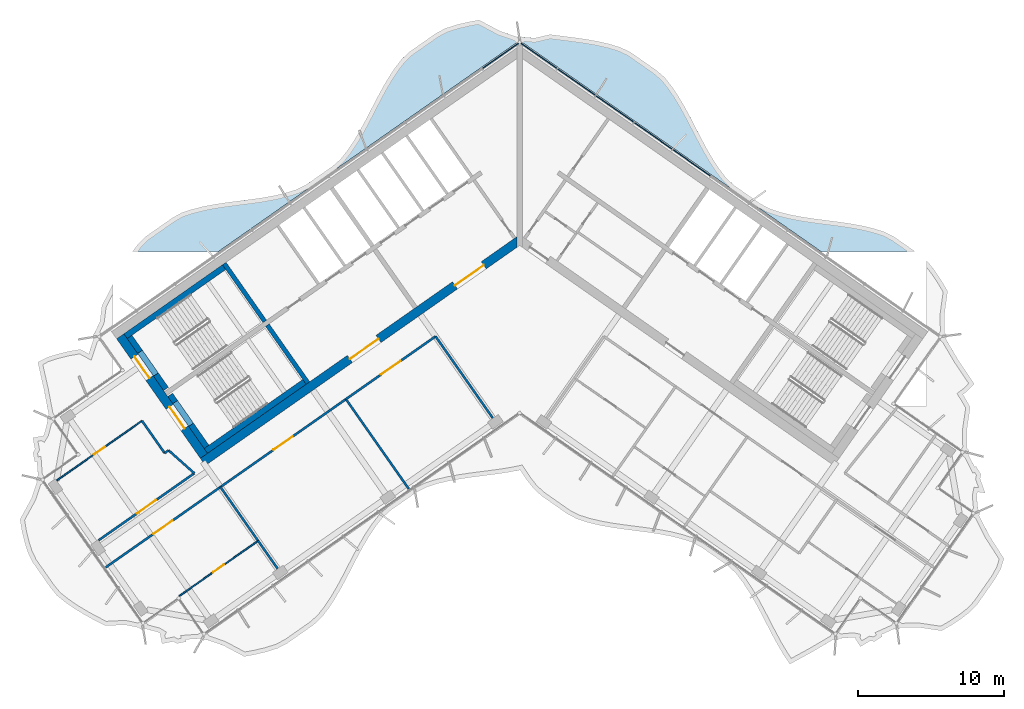
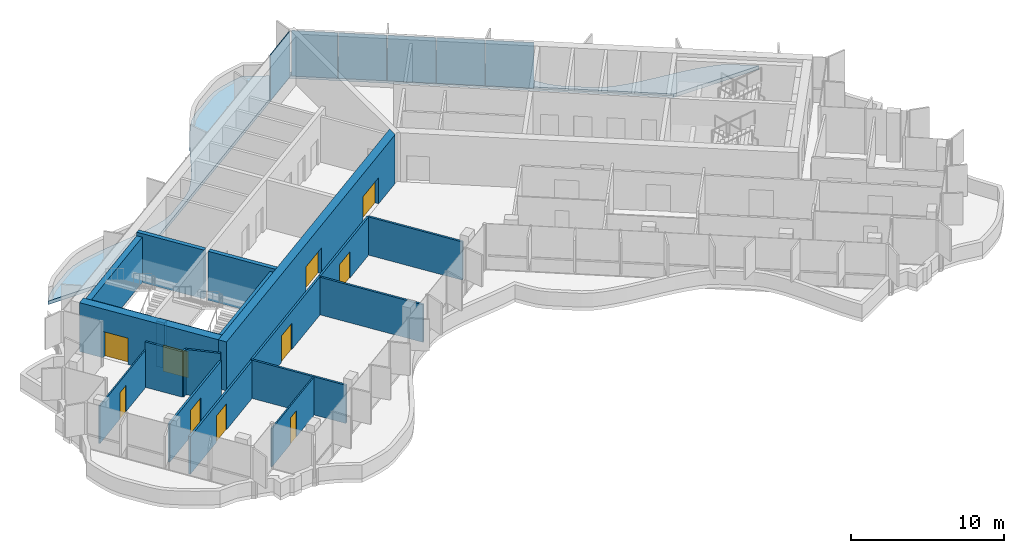
# One storey, part 9 of 18: 25 walls, 10 doors, 6 plates, 1 slab, 10 openings, 1 element without a shape of its own.
"""IFC4 building model written with IfcOpenShell, lengths in metres."""

from ifc_helpers import new_model, si_unit, direction, frame, frame_2d, origin, origin_2d, place, context, subcontext, project, spatial, polyline, rectangle, outline, extrude, material, layer, layer_set, type_object, element, fill, aggregate, save


model = new_model("IFC4")

# Units and contexts
model_context = context("Model", 3, precision=1e-05, world=origin(), true_north=direction((0.0, 1.0)))
body_context = subcontext(model_context, "Body", "Model", "MODEL_VIEW")
ifc_project = project(units=[si_unit("LENGTHUNIT", "METRE"), si_unit("AREAUNIT", "SQUARE_METRE"), si_unit("VOLUMEUNIT", "CUBIC_METRE"), si_unit("PLANEANGLEUNIT", "RADIAN"), si_unit("MASSUNIT", "GRAM", prefix="KILO")], contexts=[model_context])

# Site, building, storey
site_placement = place(None, origin())
site = spatial("IfcSite", under=ifc_project, at=site_placement, CompositionType="ELEMENT")
building_placement = place(site_placement, origin())
building = spatial("IfcBuilding", under=site, at=building_placement, Name="Tel Ilan Convention Tower", CompositionType="ELEMENT")
storey_placement = place(building_placement, frame((0.0, 0.0, 252.699951171875)))
storey = spatial("IfcBuildingStorey", under=building, at=storey_placement, Name="L59", CompositionType="ELEMENT", Elevation=252.699951171875)

# Curtain wall, plates
ifc_material_1 = material(Name="Aluminium, bronze anodised", Category="aluminium")
curtain_wall_type = type_object("IfcCurtainWallType", Name="CW2 STICK CURTAIN WALL, SPANDREL PANELS", PredefinedType="NOTDEFINED", material=ifc_material_1)
curtain_wall_placement = place(storey_placement, origin())
curtain_wall = element("IfcCurtainWall", 1, at=curtain_wall_placement, inside=storey, type_object=curtain_wall_type, Name="Curtain wall CW2-46.01", PredefinedType="NOTDEFINED")
ifc_material_2 = material(Name="Aluminium composite panel, bronze anodised", Category="aluminium")
ifc_layer_1 = layer(ifc_material_2, 0.06005859375)
ifc_layer_set_1 = layer_set([ifc_layer_1], Name="CW SPANDREL PANEL 60")
plate_type = type_object("IfcPlateType", Name="CW SPANDREL PANEL 60", PredefinedType="CURTAIN_PANEL", material=ifc_layer_set_1)
plate_1_placement = place(storey_placement, frame((11.789306640625, 4.44091796875, 0.0), z_axis=(0.0, 0.0, 1.0), x_axis=(-0.819152044289, 0.573576436351, 0.0)))
plate_1 = element("IfcPlate", 2, at=plate_1_placement, type_object=plate_type, Name="Spandrel panel", PredefinedType="CURTAIN_PANEL", context=body_context, shape_type="SweptSolid", body=[
    extrude(rectangle(XDim=3.15380859375, YDim=0.06005859375, at=origin_2d()), origin(), (0.0, 0.0, 1.0), 3.6201171875),
])
plate_2_placement = place(storey_placement, frame((9.15673828125, 6.284423828125, 0.0), z_axis=(0.0, 0.0, 1.0), x_axis=(-0.819152044289, 0.573576436351, 0.0)))
plate_2 = element("IfcPlate", 3, at=plate_2_placement, type_object=plate_type, Name="Spandrel panel", PredefinedType="CURTAIN_PANEL", context=body_context, shape_type="SweptSolid", body=[
    extrude(rectangle(XDim=3.15380859375, YDim=0.06005859375, at=origin_2d()), origin(), (0.0, 0.0, 1.0), 3.6201171875),
])
plate_3_placement = place(storey_placement, frame((6.524169921875, 8.127685546875, 0.0), z_axis=(0.0, 0.0, 1.0), x_axis=(-0.819152044289, 0.573576436351, 0.0)))
plate_3 = element("IfcPlate", 4, at=plate_3_placement, type_object=plate_type, Name="Spandrel panel", PredefinedType="CURTAIN_PANEL", context=body_context, shape_type="SweptSolid", body=[
    extrude(rectangle(XDim=3.15380859375, YDim=0.06005859375, at=origin_2d()), origin(), (0.0, 0.0, 1.0), 3.6201171875),
])
plate_4_placement = place(storey_placement, frame((3.8916015625, 9.97119140625, 0.0), z_axis=(0.0, 0.0, 1.0), x_axis=(-0.819152044289, 0.573576436351, 0.0)))
plate_4 = element("IfcPlate", 5, at=plate_4_placement, type_object=plate_type, Name="Spandrel panel", PredefinedType="CURTAIN_PANEL", context=body_context, shape_type="SweptSolid", body=[
    extrude(rectangle(XDim=3.15380859375, YDim=0.06005859375, at=origin_2d()), origin(), (0.0, 0.0, 1.0), 3.6201171875),
])
plate_5_placement = place(storey_placement, frame((1.303955078125, 11.782958984375, 0.0), z_axis=(0.0, 0.0, 1.0), x_axis=(-0.819152044289, 0.573576436351, 0.0)))
plate_5 = element("IfcPlate", 6, at=plate_5_placement, type_object=plate_type, Name="Spandrel panel", PredefinedType="CURTAIN_PANEL", context=body_context, shape_type="SweptSolid", body=[
    extrude(rectangle(XDim=3.0439453125, YDim=0.06005859375, at=origin_2d()), origin(), (0.0, 0.0, 1.0), 3.6201171875),
])
plate_6_placement = place(storey_placement, frame((-1.303955078125, 11.782958984375, 0.0), z_axis=(0.0, 0.0, 1.0), x_axis=(-0.819152044289, -0.573576436351, 0.0)))
plate_6 = element("IfcPlate", 7, at=plate_6_placement, type_object=plate_type, Name="Spandrel panel", PredefinedType="CURTAIN_PANEL", context=body_context, shape_type="SweptSolid", body=[
    extrude(rectangle(XDim=3.0439453125, YDim=0.06005859375, at=origin_2d()), origin(), (0.0, 0.0, 1.0), 3.6201171875),
])
aggregate(curtain_wall, [plate_1, plate_2, plate_3, plate_4, plate_5, plate_6])

# Slab
ifc_material_3 = material(Name="Concrete C40/50", Category="concrete")
ifc_layer_2 = layer(ifc_material_3, 0.280029296875)
ifc_layer_set_2 = layer_set([ifc_layer_2], Name="Edge Ledge Slab 280 mm C40/50")
slab_type = type_object("IfcSlabType", Name="Edge Ledge Slab 280 mm C40/50", PredefinedType="FLOOR", material=ifc_layer_set_2)
slab_placement = place(storey_placement, frame((0.0, 0.0, -0.280029296875)))
element("IfcSlab", 8, at=slab_placement, inside=storey, type_object=slab_type, Name="L59 edge ledge 2", PredefinedType="FLOOR", context=body_context, shape_type="SweptSolid", body=[
    extrude(outline(polyline([(-23.1982421875, 1.006591796875), (-22.4697265625, 1.250244140625), (-21.705322265625, 1.44287109375), (-20.91259765625, 1.594482421875), (-20.099365234375, 1.71728515625), (-19.275146484375, 1.824462890625), (-18.44970703125, 1.9296875), (-17.6328125, 2.047119140625), (-16.833984375, 2.18994140625), (-16.0615234375, 2.37109375), (-15.3232421875, 2.6005859375), (-14.651611328125, 2.92529296875), (-12.841552734375, 4.192626953125), (-12.284912109375, 4.681640625), (-11.809326171875, 5.28662109375), (-11.369140625, 5.94189453125), (-10.956787109375, 6.63720703125), (-10.564453125, 7.36083984375), (-10.182373046875, 8.09912109375), (-9.80078125, 8.83837890625), (-9.410400390625, 9.564697265625), (-9.001220703125, 10.264404296875), (-8.56494140625, 10.925537109375), (-8.094482421875, 11.53759765625), (-7.552001953125, 12.047119140625), (-5.7421875, 13.314208984375), (-5.0849609375, 13.66015625), (-4.3515625, 13.896484375), (-3.5830078125, 14.083251953125), (-2.785888671875, 14.228515625), (-1.357666015625, 13.472900390625), (-0.172119140625, 13.06396484375), (-0.168701171875, 13.05908203125), (-0.11474609375, 13.09521484375), (0.0, 13.1181640625), (0.11474609375, 13.09521484375), (0.168701171875, 13.05908203125), (0.172119140625, 13.06396484375), (1.02001953125, 12.99072265625), (2.08935546875, 13.234130859375), (2.913818359375, 13.12744140625), (3.739501953125, 13.0224609375), (4.55712890625, 12.90625), (5.357666015625, 12.765380859375), (6.132080078125, 12.587158203125), (6.872802734375, 12.361083984375), (7.552001953125, 12.047119140625), (9.36181640625, 10.77978515625), (9.925537109375, 10.300537109375), (10.403564453125, 9.69921875), (10.845947265625, 9.046875), (11.259521484375, 8.353515625), (11.653076171875, 7.631591796875), (12.035400390625, 6.893798828125), (12.416748046875, 6.154052734375), (12.806396484375, 5.426513671875), (13.214111328125, 4.724609375), (13.648193359375, 4.060791015625), (14.116455078125, 3.4453125), (14.651611328125, 2.92529296875), (16.46142578125, 1.657958984375), (17.111328125, 1.30224609375), (17.84228515625, 1.062255859375), (18.60888671875, 0.87255859375), (19.4033203125, 0.72314453125), (20.21728515625, 0.601806640625), (21.0419921875, 0.495361328125), (21.8671875, 0.3896484375), (22.68310546875, 0.27099609375), (23.480712890625, 0.1259765625), (24.2509765625, -0.057861328125), (24.987060546875, -0.290771484375), (25.6513671875, -0.626220703125), (27.087158203125, -1.631591796875), (20.63623046875, -1.631591796875), (0.0, 12.818115234375), (-20.63623046875, -1.631591796875), (-26.535888671875, -1.631591796875), (-26.1787109375, -1.156982421875), (-25.6513671875, -0.626220703125), (-23.84130859375, 0.64111328125), (-23.1982421875, 1.006591796875)])), origin(), (0.0, 0.0, 1.0), 0.280029296875),
])

# Walls
ifc_material_4 = material(Name="Concrete C40/50", Category="concrete")
ifc_layer_3 = layer(ifc_material_4, 0.300048828125)
ifc_layer_set_3 = layer_set([ifc_layer_3], Name="Core Shear Wall 300 mm C40/50")
wall_type_1 = type_object("IfcWallType", Name="Core Shear Wall 300 mm C40/50", PredefinedType="SHEAR", material=ifc_layer_set_3)
wall_1_placement = place(storey_placement, frame((-14.515380859375, -10.652099609375, 0.0), z_axis=(0.0, 0.0, 1.0), x_axis=(-0.573560315113, 0.819163332265, 0.0)))
element("IfcWall", 9, at=wall_1_placement, inside=storey, type_object=wall_type_1, Name="L59 core wall W-cross2-1", PredefinedType="SHEAR", context=body_context, shape_type="SweptSolid", body=[
    extrude(outline(polyline([(4.85009765625, 0.14990234375), (0.0, 0.14990234375), (0.0, -0.150146484375), (4.85009765625, -0.14990234375), (4.85009765625, 0.14990234375)])), origin(), (0.0, 0.0, 1.0), 3.900146484375),
])
wall_2_placement = place(storey_placement, frame((-17.46923828125, -6.433349609375, 0.0), z_axis=(0.0, 0.0, 1.0), x_axis=(-0.573594092424, 0.81913968109, 0.0)))
element("IfcWall", 10, at=wall_2_placement, inside=storey, type_object=wall_type_1, Name="L59 core wall W-cross2-2", PredefinedType="SHEAR", context=body_context, shape_type="SweptSolid", body=[
    extrude(outline(polyline([(4.849853515625, -0.150146484375), (4.849853515625, 0.14990234375), (0.0, 0.14990234375), (0.0, -0.14990234375), (4.849853515625, -0.150146484375)])), origin(), (0.0, 0.0, 1.0), 3.900146484375),
])

# Wall, openings, doors
ifc_material_5 = material(Name="Concrete C40/50", Category="concrete")
ifc_layer_4 = layer(ifc_material_5, 0.60009765625)
ifc_layer_set_4 = layer_set([ifc_layer_4], Name="Core Shear Wall 600 mm C40/50")
wall_type_2 = type_object("IfcWallType", Name="Core Shear Wall 600 mm C40/50", PredefinedType="SHEAR", material=ifc_layer_set_4)
wall_3_placement = place(storey_placement, frame((-0.02783203125, -0.8740234375, 0.0), z_axis=(0.0, 0.0, 1.0), x_axis=(-0.819150035022, -0.573579305871, 0.0)))
wall_3 = element("IfcWall", 11, at=wall_3_placement, inside=storey, type_object=wall_type_2, Name="L59 core wall W-front", PredefinedType="SHEAR", context=body_context, shape_type="SweptSolid", body=[
    extrude(outline(polyline([(26.475830078125, 0.2998046875), (0.420166015625, 0.300048828125), (0.000244140625, -0.300048828125), (26.475830078125, -0.300048828125), (26.475830078125, 0.2998046875)])), origin(), (0.0, 0.0, 1.0), 3.900146484375),
])
opening_1_placement = place(wall_3_placement, frame((2.975830078125, 0.0, 0.0)))
opening_1 = element("IfcOpeningElement", 12, at=opening_1_placement, cuts=wall_3, Name="Opening CD4606", PredefinedType="OPENING", context=body_context, shape_type="SweptSolid", body=[
    extrude(rectangle(XDim=2.39990234375, YDim=2.10009765625, at=frame_2d((1.199951171875, 1.050048828125))), frame((0.0, 0.31005859375, 0.0), z_axis=(0.0, -1.0, 0.0), x_axis=(1.0, 0.0, 0.0)), (0.0, 0.0, 1.0), 0.6201171875),
])
opening_2_placement = place(wall_3_placement, frame((11.77587890625, 0.0, 0.0)))
opening_2 = element("IfcOpeningElement", 13, at=opening_2_placement, cuts=wall_3, Name="Opening CD4607", PredefinedType="OPENING", context=body_context, shape_type="SweptSolid", body=[
    extrude(rectangle(XDim=2.39990234375, YDim=2.10009765625, at=frame_2d((1.199951171875, 1.050048828125))), frame((0.0, 0.31005859375, 0.0), z_axis=(0.0, -1.0, 0.0), x_axis=(1.0, 0.0, 0.0)), (0.0, 0.0, 1.0), 0.6201171875),
])
ifc_material_6 = material(Name="Glazed Aluminium Door Leaf", Category="aluminium")
door_type_1 = type_object("IfcDoorType", Name="Lobby Opening Door 2400 x 2100 FD60S", OperationType="NOTDEFINED", PredefinedType="DOOR", material=ifc_material_6)
door_1_placement = place(opening_1_placement, origin())
door_1 = element("IfcDoor", 14, at=door_1_placement, inside=storey, type_object=door_type_1, Name="Lift Lobby HR1-HR4 opening", OperationType="DOUBLE_DOOR_SINGLE_SWING", OverallHeight=2.10009765625, OverallWidth=2.39990234375, PredefinedType="DOOR", context=body_context, shape_type="SweptSolid", body=[
    extrude(rectangle(XDim=2.39990234375, YDim=2.10009765625, at=frame_2d((1.199951171875, 1.050048828125))), frame((0.0, 0.02490234375, 0.0), z_axis=(0.0, -1.0, 0.0), x_axis=(1.0, 0.0, 0.0)), (0.0, 0.0, 1.0), 0.050048828125),
])
fill(opening_1, door_1)
door_2_placement = place(opening_2_placement, origin())
door_2 = element("IfcDoor", 15, at=door_2_placement, inside=storey, type_object=door_type_1, Name="Lift Lobby HR5-HR6 opening", OperationType="DOUBLE_DOOR_SINGLE_SWING", OverallHeight=2.10009765625, OverallWidth=2.39990234375, PredefinedType="DOOR", context=body_context, shape_type="SweptSolid", body=[
    extrude(rectangle(XDim=2.39990234375, YDim=2.10009765625, at=frame_2d((1.199951171875, 1.050048828125))), frame((0.0, 0.02490234375, 0.0), z_axis=(0.0, -1.0, 0.0), x_axis=(1.0, 0.0, 0.0)), (0.0, 0.0, 1.0), 0.050048828125),
])
fill(opening_2, door_2)

wall_4_placement = place(storey_placement, frame((-21.641845703125, -15.64208984375, 0.0), z_axis=(0.0, 0.0, 1.0), x_axis=(-0.573586866468, 0.819144740944, 0.0)))
wall_4 = element("IfcWall", 16, at=wall_4_placement, inside=storey, type_object=wall_type_2, Name="L59 core wall W-end", PredefinedType="SHEAR", context=body_context, shape_type="SweptSolid", body=[
    extrude(outline(polyline([(0.0, 0.300048828125), (0.0, -0.2998046875), (10.0, -0.300048828125), (10.0, 0.300048828125), (0.0, 0.300048828125)])), origin(), (0.0, 0.0, 1.0), 3.900146484375),
])
opening_3_placement = place(wall_4_placement, frame((6.5, 0.0, 0.0)))
opening_3 = element("IfcOpeningElement", 17, at=opening_3_placement, cuts=wall_4, Name="Opening SD4601", PredefinedType="OPENING", context=body_context, shape_type="SweptSolid", body=[
    extrude(rectangle(XDim=1.800048828125, YDim=2.10009765625, at=frame_2d((0.89990234375, 1.050048828125))), frame((0.0, 0.31005859375, 0.0), z_axis=(0.0, -1.0, 0.0), x_axis=(1.0, 0.0, 0.0)), (0.0, 0.0, 1.0), 0.6201171875),
])
opening_4_placement = place(wall_4_placement, frame((2.300048828125, 0.0, 0.0)))
opening_4 = element("IfcOpeningElement", 18, at=opening_4_placement, cuts=wall_4, Name="Opening SD4602", PredefinedType="OPENING", context=body_context, shape_type="SweptSolid", body=[
    extrude(rectangle(XDim=1.800048828125, YDim=2.10009765625, at=frame_2d((0.89990234375, 1.050048828125))), frame((0.0, 0.31005859375, 0.0), z_axis=(0.0, -1.0, 0.0), x_axis=(1.0, 0.0, 0.0)), (0.0, 0.0, 1.0), 0.6201171875),
])
ifc_material_7 = material(Name="Galvanised Steel Door Leaf", Category="steel")
door_type_2 = type_object("IfcDoorType", Name="Stair Fire Door 1800 x 2100 FD60S", OperationType="NOTDEFINED", PredefinedType="DOOR", material=ifc_material_7)
door_3_placement = place(opening_3_placement, origin())
door_3 = element("IfcDoor", 19, at=door_3_placement, inside=storey, type_object=door_type_2, Name="Stair S1 door", OperationType="DOUBLE_DOOR_SINGLE_SWING", OverallHeight=2.10009765625, OverallWidth=1.800048828125, PredefinedType="DOOR", context=body_context, shape_type="SweptSolid", body=[
    extrude(rectangle(XDim=1.800048828125, YDim=2.10009765625, at=frame_2d((0.89990234375, 1.050048828125))), frame((0.0, 0.02490234375, 0.0), z_axis=(0.0, -1.0, 0.0), x_axis=(1.0, 0.0, 0.0)), (0.0, 0.0, 1.0), 0.050048828125),
])
fill(opening_3, door_3)
door_4_placement = place(opening_4_placement, origin())
door_4 = element("IfcDoor", 20, at=door_4_placement, inside=storey, type_object=door_type_2, Name="Stair S2 door", OperationType="DOUBLE_DOOR_SINGLE_SWING", OverallHeight=2.10009765625, OverallWidth=1.800048828125, PredefinedType="DOOR", context=body_context, shape_type="SweptSolid", body=[
    extrude(rectangle(XDim=1.800048828125, YDim=2.10009765625, at=frame_2d((0.89990234375, 1.050048828125))), frame((0.0, 0.02490234375, 0.0), z_axis=(0.0, -1.0, 0.0), x_axis=(1.0, 0.0, 0.0)), (0.0, 0.0, 1.0), 0.050048828125),
])
fill(opening_4, door_4)

# Wall, opening, door
ifc_material_8 = material(Name="Plasterboard on Steel Studs", Category="steel")
ifc_layer_5 = layer(ifc_material_8, 0.14990234375)
ifc_layer_set_5 = layer_set([ifc_layer_5], Name="Fire-rated Partition 150 EI 60")
wall_type_3 = type_object("IfcWallType", Name="Fire-rated Partition 150 EI 60", PredefinedType="PARTITIONING", material=ifc_layer_set_5)
wall_5_placement = place(storey_placement, frame((-28.858154296875, -21.428466796875, 0.0), z_axis=(0.0, 0.0, 1.0), x_axis=(0.819138799838, 0.573595350923, 0.0)))
wall_5 = element("IfcWall", 21, at=wall_5_placement, inside=storey, type_object=wall_type_3, Name="Partition 007", PredefinedType="PARTITIONING", context=body_context, shape_type="SweptSolid", body=[
    extrude(rectangle(XDim=8.007080078125, YDim=0.14990234375, at=frame_2d((4.00341796875, 0.0))), origin(), (0.0, 0.0, 1.0), 3.050048828125),
])
opening_5_placement = place(wall_5_placement, frame((3.20361328125, 0.0, 0.0)))
opening_5 = element("IfcOpeningElement", 22, at=opening_5_placement, cuts=wall_5, Name="Opening L59-005", PredefinedType="OPENING", context=body_context, shape_type="SweptSolid", body=[
    extrude(rectangle(XDim=1.60009765625, YDim=2.10009765625, at=frame_2d((0.800048828125, 1.050048828125))), frame((0.0, 0.0849609375, 0.0), z_axis=(0.0, -1.0, 0.0), x_axis=(1.0, 0.0, 0.0)), (0.0, 0.0, 1.0), 0.169921875),
])
ifc_material_9 = material(Name="Timber Door Leaf in Steel Frame", Category="steel")
door_type_3 = type_object("IfcDoorType", Name="Tenant Suite Entrance Fire Door 1600x2100", OperationType="NOTDEFINED", PredefinedType="DOOR", material=ifc_material_9)
door_5_placement = place(opening_5_placement, origin())
door_5 = element("IfcDoor", 23, at=door_5_placement, inside=storey, type_object=door_type_3, Name="Door L59-005", OperationType="DOUBLE_DOOR_SINGLE_SWING", OverallHeight=2.10009765625, OverallWidth=1.60009765625, PredefinedType="DOOR", context=body_context, shape_type="SweptSolid", body=[
    extrude(rectangle(XDim=1.60009765625, YDim=2.10009765625, at=frame_2d((0.800048828125, 1.050048828125))), frame((0.0, 0.02490234375, 0.0), z_axis=(0.0, -1.0, 0.0), x_axis=(1.0, 0.0, 0.0)), (0.0, 0.0, 1.0), 0.050048828125),
])
fill(opening_5, door_5)

wall_6_placement = place(storey_placement, frame((-5.766357421875, -7.455810546875, 0.0), z_axis=(0.0, 0.0, 1.0), x_axis=(-0.819150881364, -0.573578097177, 0.0)))
wall_6 = element("IfcWall", 24, at=wall_6_placement, inside=storey, type_object=wall_type_3, Name="Partition 008", PredefinedType="PARTITIONING", context=body_context, shape_type="SweptSolid", body=[
    extrude(rectangle(XDim=7.501953125, YDim=0.14990234375, at=frame_2d((3.7509765625, 0.0))), origin(), (0.0, 0.0, 1.0), 3.050048828125),
])
opening_6_placement = place(wall_6_placement, frame((2.950927734375, 0.0, 0.0)))
opening_6 = element("IfcOpeningElement", 25, at=opening_6_placement, cuts=wall_6, Name="Opening L59-001", PredefinedType="OPENING", context=body_context, shape_type="SweptSolid", body=[
    extrude(rectangle(XDim=1.60009765625, YDim=2.10009765625, at=frame_2d((0.800048828125, 1.050048828125))), frame((0.0, 0.0849609375, 0.0), z_axis=(0.0, -1.0, 0.0), x_axis=(1.0, 0.0, 0.0)), (0.0, 0.0, 1.0), 0.169921875),
])
door_6_placement = place(opening_6_placement, origin())
door_6 = element("IfcDoor", 26, at=door_6_placement, inside=storey, type_object=door_type_3, Name="Door L59-001", OperationType="DOUBLE_DOOR_SINGLE_SWING", OverallHeight=2.10009765625, OverallWidth=1.60009765625, PredefinedType="DOOR", context=body_context, shape_type="SweptSolid", body=[
    extrude(rectangle(XDim=1.60009765625, YDim=2.10009765625, at=frame_2d((0.800048828125, 1.050048828125))), frame((0.0, 0.02490234375, 0.0), z_axis=(0.0, -1.0, 0.0), x_axis=(1.0, 0.0, 0.0)), (0.0, 0.0, 1.0), 0.050048828125),
])
fill(opening_6, door_6)

wall_7_placement = place(storey_placement, frame((-11.908447265625, -11.756591796875, 0.0), z_axis=(0.0, 0.0, 1.0), x_axis=(-0.819156568366, -0.573569975245, 0.0)))
wall_7 = element("IfcWall", 27, at=wall_7_placement, inside=storey, type_object=wall_type_3, Name="Partition 009", PredefinedType="PARTITIONING", context=body_context, shape_type="SweptSolid", body=[
    extrude(rectangle(XDim=10.50390625, YDim=0.14990234375, at=frame_2d((5.251953125, 0.0))), origin(), (0.0, 0.0, 1.0), 3.050048828125),
])
opening_7_placement = place(wall_7_placement, frame((4.451904296875, 0.0, 0.0)))
opening_7 = element("IfcOpeningElement", 28, at=opening_7_placement, cuts=wall_7, Name="Opening L59-002", PredefinedType="OPENING", context=body_context, shape_type="SweptSolid", body=[
    extrude(rectangle(XDim=1.60009765625, YDim=2.10009765625, at=frame_2d((0.800048828125, 1.050048828125))), frame((0.0, 0.0849609375, 0.0), z_axis=(0.0, -1.0, 0.0), x_axis=(1.0, 0.0, 0.0)), (0.0, 0.0, 1.0), 0.169921875),
])
door_7_placement = place(opening_7_placement, origin())
door_7 = element("IfcDoor", 29, at=door_7_placement, inside=storey, type_object=door_type_3, Name="Door L59-002", OperationType="DOUBLE_DOOR_SINGLE_SWING", OverallHeight=2.10009765625, OverallWidth=1.60009765625, PredefinedType="DOOR", context=body_context, shape_type="SweptSolid", body=[
    extrude(rectangle(XDim=1.60009765625, YDim=2.10009765625, at=frame_2d((0.800048828125, 1.050048828125))), frame((0.0, 0.02490234375, 0.0), z_axis=(0.0, -1.0, 0.0), x_axis=(1.0, 0.0, 0.0)), (0.0, 0.0, 1.0), 0.050048828125),
])
fill(opening_7, door_7)

wall_8_placement = place(storey_placement, frame((-20.509521484375, -17.779052734375, 0.0), z_axis=(0.0, 0.0, 1.0), x_axis=(-0.819147101588, -0.573583495196, 0.0)))
wall_8 = element("IfcWall", 30, at=wall_8_placement, inside=storey, type_object=wall_type_3, Name="Partition 010", PredefinedType="PARTITIONING", context=body_context, shape_type="SweptSolid", body=[
    extrude(rectangle(XDim=9.60205078125, YDim=0.14990234375, at=frame_2d((4.801025390625, 0.0))), origin(), (0.0, 0.0, 1.0), 3.0),
])
opening_8_placement = place(wall_8_placement, frame((4.0009765625, 0.0, 0.0)))
opening_8 = element("IfcOpeningElement", 31, at=opening_8_placement, cuts=wall_8, Name="Opening L59-003", PredefinedType="OPENING", context=body_context, shape_type="SweptSolid", body=[
    extrude(rectangle(XDim=1.60009765625, YDim=2.10009765625, at=frame_2d((0.800048828125, 1.050048828125))), frame((0.0, 0.0849609375, 0.0), z_axis=(0.0, -1.0, 0.0), x_axis=(1.0, 0.0, 0.0)), (0.0, 0.0, 1.0), 0.169921875),
])
door_8_placement = place(opening_8_placement, origin())
door_8 = element("IfcDoor", 32, at=door_8_placement, inside=storey, type_object=door_type_3, Name="Door L59-003", OperationType="DOUBLE_DOOR_SINGLE_SWING", OverallHeight=2.10009765625, OverallWidth=1.60009765625, PredefinedType="DOOR", context=body_context, shape_type="SweptSolid", body=[
    extrude(rectangle(XDim=1.60009765625, YDim=2.10009765625, at=frame_2d((0.800048828125, 1.050048828125))), frame((0.0, 0.02490234375, 0.0), z_axis=(0.0, -1.0, 0.0), x_axis=(1.0, 0.0, 0.0)), (0.0, 0.0, 1.0), 0.050048828125),
])
fill(opening_8, door_8)

# Walls
wall_9_placement = place(storey_placement, frame((-1.848876953125, -13.050537109375, 0.0), z_axis=(0.0, 0.0, 1.0), x_axis=(-0.57357985571, 0.819149650018, 0.0)))
element("IfcWall", 33, at=wall_9_placement, inside=storey, type_object=wall_type_3, Name="Partition 027", PredefinedType="PARTITIONING", context=body_context, shape_type="SweptSolid", body=[
    extrude(rectangle(XDim=6.83203125, YDim=0.14990234375, at=frame_2d((3.416015625, 0.0))), origin(), (0.0, 0.0, 1.0), 3.050048828125),
])
wall_10_placement = place(storey_placement, frame((-24.337158203125, -15.4541015625, 0.0), z_axis=(0.0, 0.0, 1.0), x_axis=(-0.573571492575, 0.819155505936, 0.0)))
element("IfcWall", 34, at=wall_10_placement, inside=storey, type_object=wall_type_3, Name="Partition 028", PredefinedType="PARTITIONING", context=body_context, shape_type="SweptSolid", body=[
    extrude(rectangle(XDim=2.701904296875, YDim=0.14990234375, at=frame_2d((1.35107421875, 0.0))), origin(), (0.0, 0.0, 1.0), 3.6201171875),
])
wall_11_placement = place(storey_placement, frame((-22.2998046875, -16.83740234375, 0.0), z_axis=(0.0, 0.0, 1.0), x_axis=(-0.746942190663, 0.664888986078, 0.0)))
element("IfcWall", 35, at=wall_11_placement, inside=storey, type_object=wall_type_3, Name="Partition 029", PredefinedType="PARTITIONING", context=body_context, shape_type="SweptSolid", body=[
    extrude(rectangle(XDim=2.365478515625, YDim=0.14990234375, at=frame_2d((1.1826171875, 0.0))), origin(), (0.0, 0.0, 1.0), 3.6201171875),
])
wall_12_placement = place(storey_placement, frame((-24.066650390625, -15.2646484375, 0.0), z_axis=(0.0, 0.0, 1.0), x_axis=(-0.819092976344, -0.573660784876, 0.0)))
element("IfcWall", 36, at=wall_12_placement, inside=storey, type_object=wall_type_3, Name="Partition 030", PredefinedType="PARTITIONING", context=body_context, shape_type="SweptSolid", body=[
    extrude(rectangle(XDim=0.330322265625, YDim=0.14990234375, at=frame_2d((0.1650390625, 0.0))), origin(), (0.0, 0.0, 1.0), 3.6201171875),
])
wall_13_placement = place(storey_placement, frame((-7.608154296875, -17.9013671875, 0.0), z_axis=(0.0, 0.0, 1.0), x_axis=(-0.573560650686, 0.819163097304, 0.0)))
element("IfcWall", 37, at=wall_13_placement, inside=storey, type_object=wall_type_3, Name="Partition 032", PredefinedType="PARTITIONING", context=body_context, shape_type="SweptSolid", body=[
    extrude(rectangle(XDim=7.5, YDim=0.14990234375, at=frame_2d((3.75, 0.0))), origin(), (0.0, 0.0, 1.0), 3.0),
])
wall_14_placement = place(storey_placement, frame((-16.593505859375, -23.375, 0.0), z_axis=(0.0, 0.0, 1.0), x_axis=(-0.57362400197, 0.819118736426, 0.0)))
element("IfcWall", 38, at=wall_14_placement, inside=storey, type_object=wall_type_3, Name="Partition 033", PredefinedType="PARTITIONING", context=body_context, shape_type="SweptSolid", body=[
    extrude(rectangle(XDim=2.3310546875, YDim=0.14990234375, at=frame_2d((1.16552734375, 0.0))), origin(), (0.0, 0.0, 1.0), 3.050048828125),
])
wall_15_placement = place(storey_placement, frame((-17.928955078125, -21.468017578125, 0.0), z_axis=(0.0, 0.0, 1.0), x_axis=(-0.573553333433, 0.819168220641, 0.0)))
element("IfcWall", 39, at=wall_15_placement, inside=storey, type_object=wall_type_3, Name="Partition 034", PredefinedType="PARTITIONING", context=body_context, shape_type="SweptSolid", body=[
    extrude(rectangle(XDim=4.501708984375, YDim=0.14990234375, at=frame_2d((2.2509765625, 0.0))), origin(), (0.0, 0.0, 1.0), 3.050048828125),
])

# Wall, opening, door
ifc_material_10 = material(Name="Plasterboard on Steel Studs", Category="steel")
ifc_layer_6 = layer(ifc_material_10, 0.10009765625)
ifc_layer_set_6 = layer_set([ifc_layer_6], Name="Plasterboard Partition 100")
wall_type_4 = type_object("IfcWallType", Name="Plasterboard Partition 100", PredefinedType="PARTITIONING", material=ifc_layer_set_6)
wall_16_placement = place(storey_placement, frame((-31.72705078125, -17.331298828125, 0.0), z_axis=(0.0, 0.0, 1.0), x_axis=(0.819140241507, 0.573593292101, 0.0)))
wall_16 = element("IfcWall", 40, at=wall_16_placement, inside=storey, type_object=wall_type_4, Name="Partition 031", PredefinedType="PARTITIONING", context=body_context, shape_type="SweptSolid", body=[
    extrude(rectangle(XDim=7.1318359375, YDim=0.10009765625, at=frame_2d((3.56591796875, 0.0))), origin(), (0.0, 0.0, 1.0), 3.0),
])
opening_9_placement = place(wall_16_placement, frame((3.115966796875, 0.0, 0.0)))
opening_9 = element("IfcOpeningElement", 41, at=opening_9_placement, cuts=wall_16, Name="Opening L59-006", PredefinedType="OPENING", context=body_context, shape_type="SweptSolid", body=[
    extrude(rectangle(XDim=0.89990234375, YDim=2.10009765625, at=frame_2d((0.449951171875, 1.050048828125))), frame((0.0, 0.06005859375, 0.0), z_axis=(0.0, -1.0, 0.0), x_axis=(1.0, 0.0, 0.0)), (0.0, 0.0, 1.0), 0.1201171875),
])
ifc_material_11 = material(Name="Timber Door Leaf in Steel Frame", Category="steel")
door_type_4 = type_object("IfcDoorType", Name="Room Timber Door 900x2100", OperationType="NOTDEFINED", PredefinedType="DOOR", material=ifc_material_11)
door_9_placement = place(opening_9_placement, origin())
door_9 = element("IfcDoor", 42, at=door_9_placement, inside=storey, type_object=door_type_4, Name="Door L59-006", OperationType="SINGLE_SWING_RIGHT", OverallHeight=2.10009765625, OverallWidth=0.89990234375, PredefinedType="DOOR", context=body_context, shape_type="SweptSolid", body=[
    extrude(rectangle(XDim=0.89990234375, YDim=2.10009765625, at=frame_2d((0.449951171875, 1.050048828125))), frame((0.0, 0.02490234375, 0.0), z_axis=(0.0, -1.0, 0.0), x_axis=(1.0, 0.0, 0.0)), (0.0, 0.0, 1.0), 0.050048828125),
])
fill(opening_9, door_9)

wall_17_placement = place(storey_placement, frame((-17.929443359375, -21.46728515625, 0.0), z_axis=(0.0, 0.0, 1.0), x_axis=(-0.819158922237, -0.573566613498, 0.0)))
wall_17 = element("IfcWall", 43, at=wall_17_placement, inside=storey, type_object=wall_type_4, Name="Partition 035", PredefinedType="PARTITIONING", context=body_context, shape_type="SweptSolid", body=[
    extrude(rectangle(XDim=6.599853515625, YDim=0.10009765625, at=frame_2d((3.2998046875, 0.0))), origin(), (0.0, 0.0, 1.0), 3.050048828125),
])
opening_10_placement = place(wall_17_placement, frame((2.85009765625, 0.0, 0.0)))
opening_10 = element("IfcOpeningElement", 44, at=opening_10_placement, cuts=wall_17, Name="Opening L59-004", PredefinedType="OPENING", context=body_context, shape_type="SweptSolid", body=[
    extrude(rectangle(XDim=0.89990234375, YDim=2.10009765625, at=frame_2d((0.449951171875, 1.050048828125))), frame((0.0, 0.06005859375, 0.0), z_axis=(0.0, -1.0, 0.0), x_axis=(1.0, 0.0, 0.0)), (0.0, 0.0, 1.0), 0.1201171875),
])
door_10_placement = place(opening_10_placement, origin())
door_10 = element("IfcDoor", 45, at=door_10_placement, inside=storey, type_object=door_type_4, Name="Door L59-004", OperationType="SINGLE_SWING_LEFT", OverallHeight=2.10009765625, OverallWidth=0.89990234375, PredefinedType="DOOR", context=body_context, shape_type="SweptSolid", body=[
    extrude(rectangle(XDim=0.89990234375, YDim=2.10009765625, at=frame_2d((0.449951171875, 1.050048828125))), frame((0.0, 0.02490234375, 0.0), z_axis=(0.0, -1.0, 0.0), x_axis=(1.0, 0.0, 0.0)), (0.0, 0.0, 1.0), 0.050048828125),
])
fill(opening_10, door_10)

# Walls
ifc_material_12 = material(Name="Concrete C30/37", Category="concrete")
ifc_layer_7 = layer(ifc_material_12, 0.39990234375)
ifc_layer_set_7 = layer_set([ifc_layer_7], Name="Stair and Shaft Lining Wall 400 mm C30/37")
wall_type_5 = type_object("IfcWallType", Name="Stair and Shaft Lining Wall 400 mm C30/37", PredefinedType="SOLIDWALL", material=ifc_layer_set_7)
wall_18_placement = place(storey_placement, frame((-20.25927734375, -2.71044921875, 0.0), z_axis=(0.0, 0.0, 1.0), x_axis=(-0.81914849389, -0.573581506813, 0.0)))
element("IfcWall", 46, at=wall_18_placement, inside=storey, type_object=wall_type_5, Name="L59 core wall lining-S1-t1", PredefinedType="SOLIDWALL", context=body_context, shape_type="SweptSolid", body=[
    extrude(rectangle(XDim=8.249755859375, YDim=0.39990234375, at=frame_2d((4.125, 0.0))), origin(), (0.0, 0.0, 1.0), 3.6201171875),
])
wall_19_placement = place(storey_placement, frame((-24.24365234375, -11.0546875, 0.0), z_axis=(0.0, 0.0, 1.0), x_axis=(-0.573571582932, 0.819155442668, 0.0)))
element("IfcWall", 47, at=wall_19_placement, inside=storey, type_object=wall_type_5, Name="L59 core wall lining-S1-u1-0", PredefinedType="SOLIDWALL", context=body_context, shape_type="SweptSolid", body=[
    extrude(rectangle(XDim=1.199951171875, YDim=0.39990234375, at=frame_2d((0.60009765625, 0.0))), origin(), (0.0, 0.0, 1.0), 3.6201171875),
])
wall_20_placement = place(storey_placement, frame((-26.021728515625, -8.515380859375, 0.0), z_axis=(0.0, 0.0, 1.0), x_axis=(-0.573619628835, 0.819121798889, 0.0)))
element("IfcWall", 48, at=wall_20_placement, inside=storey, type_object=wall_type_5, Name="L59 core wall lining-S1-u1-1", PredefinedType="SOLIDWALL", context=body_context, shape_type="SweptSolid", body=[
    extrude(rectangle(XDim=1.25, YDim=0.39990234375, at=frame_2d((0.625, 0.0))), origin(), (0.0, 0.0, 1.0), 3.6201171875),
])
wall_21_placement = place(storey_placement, frame((-24.931884765625, -10.07177734375, 2.150146484375), z_axis=(0.0, 0.0, 1.0), x_axis=(-0.573591692345, 0.819141361715, 0.0)))
element("IfcWall", 49, at=wall_21_placement, inside=storey, type_object=wall_type_5, Name="L59 core wall lining-S1-u1-lintel", PredefinedType="SOLIDWALL", context=body_context, shape_type="SweptSolid", body=[
    extrude(rectangle(XDim=1.900146484375, YDim=0.39990234375, at=frame_2d((0.9501953125, 0.0))), origin(), (0.0, 0.0, 1.0), 1.469970703125),
])
wall_22_placement = place(storey_placement, frame((-14.7529296875, -10.57421875, 0.0), z_axis=(0.0, 0.0, 1.0), x_axis=(-0.819158229677, -0.573567602601, 0.0)))
element("IfcWall", 50, at=wall_22_placement, inside=storey, type_object=wall_type_5, Name="L59 core wall lining-S2-t0", PredefinedType="SOLIDWALL", context=body_context, shape_type="SweptSolid", body=[
    extrude(rectangle(XDim=8.25, YDim=0.39990234375, at=frame_2d((4.125, 0.0))), origin(), (0.0, 0.0, 1.0), 3.6201171875),
])
wall_23_placement = place(storey_placement, frame((-21.4619140625, -15.027587890625, 0.0), z_axis=(0.0, 0.0, 1.0), x_axis=(-0.573559770908, 0.819163713305, 0.0)))
element("IfcWall", 51, at=wall_23_placement, inside=storey, type_object=wall_type_5, Name="L59 core wall lining-S2-u1-0", PredefinedType="SOLIDWALL", context=body_context, shape_type="SweptSolid", body=[
    extrude(rectangle(XDim=1.849853515625, YDim=0.39990234375, at=frame_2d((0.9248046875, 0.0))), origin(), (0.0, 0.0, 1.0), 3.6201171875),
])
wall_24_placement = place(storey_placement, frame((-23.61279296875, -11.955810546875, 0.0), z_axis=(0.0, 0.0, 1.0), x_axis=(-0.573435029941, 0.819251039936, 0.0)))
element("IfcWall", 52, at=wall_24_placement, inside=storey, type_object=wall_type_5, Name="L59 core wall lining-S2-u1-1", PredefinedType="SOLIDWALL", context=body_context, shape_type="SweptSolid", body=[
    extrude(rectangle(XDim=0.599853515625, YDim=0.39990234375, at=frame_2d((0.2998046875, 0.0))), origin(), (0.0, 0.0, 1.0), 3.6201171875),
])
wall_25_placement = place(storey_placement, frame((-22.52294921875, -13.51220703125, 2.150146484375), z_axis=(0.0, 0.0, 1.0), x_axis=(-0.573591692345, 0.819141361715, 0.0)))
element("IfcWall", 53, at=wall_25_placement, inside=storey, type_object=wall_type_5, Name="L59 core wall lining-S2-u1-lintel", PredefinedType="SOLIDWALL", context=body_context, shape_type="SweptSolid", body=[
    extrude(rectangle(XDim=1.900146484375, YDim=0.39990234375, at=frame_2d((0.9501953125, 0.0))), origin(), (0.0, 0.0, 1.0), 1.469970703125),
])

save(model, "model.ifc")
